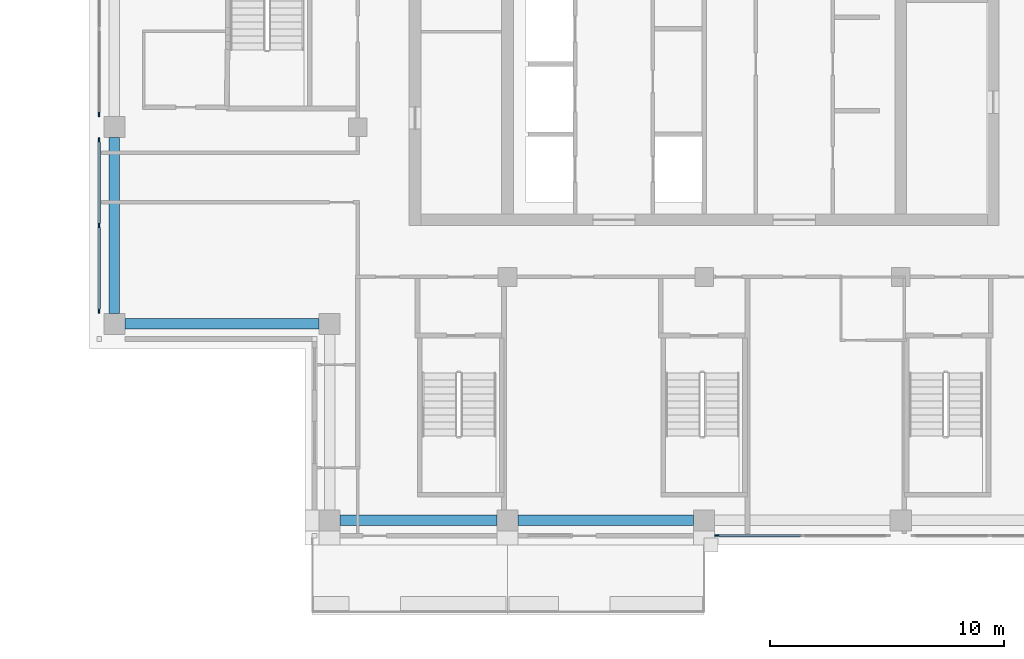
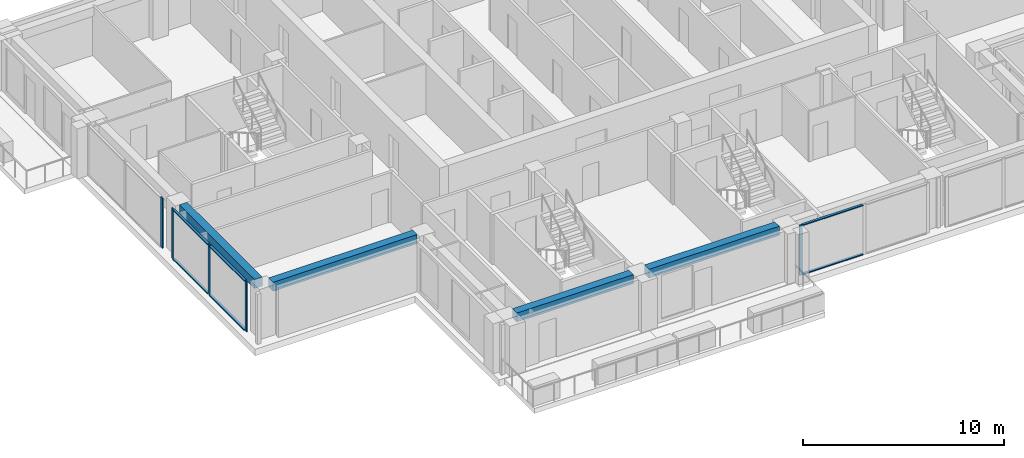
# One storey, part 2 of 15: 11 members, 4 beams, 3 elements without a shape of their own.
"""IFC4 building model written with IfcOpenShell, lengths in metres."""

from ifc_helpers import new_model, si_unit, direction, frame, origin, origin_2d, place, context, subcontext, project, spatial, rectangle, extrude, material, material_profile, profile_set, type_object, element, aggregate, save


model = new_model("IFC4")

# Units and contexts
model_context = context("Model", 3, precision=1e-05, world=origin(), true_north=direction((0.0, 1.0)))
body_context = subcontext(model_context, "Body", "Model", "MODEL_VIEW")
ifc_project = project(units=[si_unit("LENGTHUNIT", "METRE"), si_unit("AREAUNIT", "SQUARE_METRE"), si_unit("VOLUMEUNIT", "CUBIC_METRE"), si_unit("PLANEANGLEUNIT", "RADIAN"), si_unit("MASSUNIT", "GRAM", prefix="KILO")], contexts=[model_context])

# Site, building, storey
site_placement = place(None, origin())
site = spatial("IfcSite", under=ifc_project, at=site_placement, CompositionType="ELEMENT")
building_placement = place(site_placement, origin())
building = spatial("IfcBuilding", under=site, at=building_placement, Name="Vermilion Ogive Tower", CompositionType="ELEMENT")
storey_placement = place(building_placement, frame((0.0, 0.0, 237.25)))
storey = spatial("IfcBuildingStorey", under=building, at=storey_placement, Name="L62", CompositionType="ELEMENT", Elevation=237.25)

# Curtain wall, member
ifc_material_1 = material(Name="Low-iron laminated glazing in aluminium frame", Category="aluminium")
curtain_wall_type = type_object("IfcCurtainWallType", Name="Curtain wall CW7", PredefinedType="NOTDEFINED", material=ifc_material_1)
curtain_wall_1_placement = place(storey_placement, origin())
curtain_wall_1 = element("IfcCurtainWall", 1, at=curtain_wall_1_placement, inside=storey, type_object=curtain_wall_type, Name="Glazed skin S3", PredefinedType="NOTDEFINED")
ifc_material_2 = material(Name="Aluminium mullion", Category="aluminium")
ifc_material_profile_1 = material_profile(ifc_material_2, rectangle(XDim=0.06005859375, YDim=0.179931640625, at=origin_2d()), Name="AL 60x180")
ifc_profile_set_1 = profile_set([ifc_material_profile_1], Name="Aluminium mullion")
member_type_1 = type_object("IfcMemberType", Name="CW7 mullion 60x180", PredefinedType="MULLION", material=ifc_profile_set_1)
member_1_placement = place(storey_placement, frame((0.5400390625, -21.64990234375, 0.0), z_axis=(0.0, 0.0, 1.0), x_axis=(0.0, 1.0, 0.0)))
member_1 = element("IfcMember", 2, at=member_1_placement, type_object=member_type_1, Name="CW7-S3 mullion 1", PredefinedType="MULLION", context=body_context, shape_type="SweptSolid", body=[
    extrude(rectangle(XDim=0.06005859375, YDim=0.179931640625, at=origin_2d()), origin(), (0.0, 0.0, 1.0), 3.050048828125),
])

curtain_wall_2_placement = place(storey_placement, origin())
curtain_wall_2 = element("IfcCurtainWall", 3, at=curtain_wall_2_placement, inside=storey, type_object=curtain_wall_type, Name="Glazed skin W2", PredefinedType="NOTDEFINED")
member_2_placement = place(storey_placement, frame((-25.85009765625, -3.659912109375, 0.0), z_axis=(0.0, 0.0, 1.0), x_axis=(1.0, 0.0, 0.0)))
member_2 = element("IfcMember", 4, at=member_2_placement, type_object=member_type_1, Name="CW7-W2 mullion 3", PredefinedType="MULLION", context=body_context, shape_type="SweptSolid", body=[
    extrude(rectangle(XDim=0.06005859375, YDim=0.179931640625, at=origin_2d()), origin(), (0.0, 0.0, 1.0), 3.050048828125),
])
aggregate(curtain_wall_2, [member_2])

# Curtain wall, members
curtain_wall_3_placement = place(storey_placement, origin())
curtain_wall_3 = element("IfcCurtainWall", 5, at=curtain_wall_3_placement, inside=storey, type_object=curtain_wall_type, Name="Glazed skin W3", PredefinedType="NOTDEFINED")
member_3_placement = place(storey_placement, frame((-25.85009765625, -4.739990234375, 0.0), z_axis=(0.0, 0.0, 1.0), x_axis=(1.0, 0.0, 0.0)))
member_3 = element("IfcMember", 6, at=member_3_placement, type_object=member_type_1, Name="CW7-W3 mullion 1", PredefinedType="MULLION", context=body_context, shape_type="SweptSolid", body=[
    extrude(rectangle(XDim=0.06005859375, YDim=0.179931640625, at=origin_2d()), origin(), (0.0, 0.0, 1.0), 3.050048828125),
])
member_4_placement = place(storey_placement, frame((-25.85009765625, -8.39990234375, 0.0), z_axis=(0.0, 0.0, 1.0), x_axis=(1.0, 0.0, 0.0)))
member_4 = element("IfcMember", 7, at=member_4_placement, type_object=member_type_1, Name="CW7-W3 mullion 2", PredefinedType="MULLION", context=body_context, shape_type="SweptSolid", body=[
    extrude(rectangle(XDim=0.06005859375, YDim=0.179931640625, at=origin_2d()), origin(), (0.0, 0.0, 1.0), 3.050048828125),
])
member_5_placement = place(storey_placement, frame((-25.85009765625, -12.06005859375, 0.0), z_axis=(0.0, 0.0, 1.0), x_axis=(1.0, 0.0, 0.0)))
member_5 = element("IfcMember", 8, at=member_5_placement, type_object=member_type_1, Name="CW7-W3 mullion 3", PredefinedType="MULLION", context=body_context, shape_type="SweptSolid", body=[
    extrude(rectangle(XDim=0.06005859375, YDim=0.179931640625, at=origin_2d()), origin(), (0.0, 0.0, 1.0), 3.050048828125),
])

# Member
ifc_material_3 = material(Name="Aluminium transom", Category="aluminium")
ifc_material_profile_2 = material_profile(ifc_material_3, rectangle(XDim=0.139892578125, YDim=0.06005859375, at=origin_2d()), Name="AL 60x140")
ifc_profile_set_2 = profile_set([ifc_material_profile_2], Name="Aluminium transom")
member_type_2 = type_object("IfcMemberType", Name="CW7 transom 60x140", PredefinedType="USERDEFINED", material=ifc_profile_set_2)
member_6_placement = place(storey_placement, frame((0.6298828125, -21.64990234375, 0.030029296875), z_axis=(1.0, 0.0, 0.0), x_axis=(0.0, 1.0, 0.0)))
member_6 = element("IfcMember", 9, at=member_6_placement, type_object=member_type_2, Name="CW7-S3 transom 1.1", ObjectType="TRANSOM", PredefinedType="USERDEFINED", context=body_context, shape_type="SweptSolid", body=[
    extrude(rectangle(XDim=0.139892578125, YDim=0.06005859375, at=origin_2d()), origin(), (0.0, 0.0, 1.0), 3.480224609375),
])

member_7_placement = place(storey_placement, frame((0.6298828125, -21.64990234375, 3.02001953125), z_axis=(1.0, 0.0, 0.0), x_axis=(0.0, 1.0, 0.0)))
member_7 = element("IfcMember", 10, at=member_7_placement, type_object=member_type_2, Name="CW7-S3 transom 1.2", ObjectType="TRANSOM", PredefinedType="USERDEFINED", context=body_context, shape_type="SweptSolid", body=[
    extrude(rectangle(XDim=0.139892578125, YDim=0.06005859375, at=origin_2d()), origin(), (0.0, 0.0, 1.0), 3.480224609375),
])

aggregate(curtain_wall_1, [member_1, member_6, member_7])

member_8_placement = place(storey_placement, frame((-25.85009765625, -4.830078125, 0.030029296875), z_axis=(0.0, -1.0, 0.0), x_axis=(1.0, 0.0, 0.0)))
member_8 = element("IfcMember", 11, at=member_8_placement, type_object=member_type_2, Name="CW7-W3 transom 1.1", ObjectType="TRANSOM", PredefinedType="USERDEFINED", context=body_context, shape_type="SweptSolid", body=[
    extrude(rectangle(XDim=0.139892578125, YDim=0.06005859375, at=origin_2d()), origin(), (0.0, 0.0, 1.0), 3.47998046875),
])

member_9_placement = place(storey_placement, frame((-25.85009765625, -4.830078125, 3.02001953125), z_axis=(0.0, -1.0, 0.0), x_axis=(1.0, 0.0, 0.0)))
member_9 = element("IfcMember", 12, at=member_9_placement, type_object=member_type_2, Name="CW7-W3 transom 1.2", ObjectType="TRANSOM", PredefinedType="USERDEFINED", context=body_context, shape_type="SweptSolid", body=[
    extrude(rectangle(XDim=0.139892578125, YDim=0.06005859375, at=origin_2d()), origin(), (0.0, 0.0, 1.0), 3.47998046875),
])

member_10_placement = place(storey_placement, frame((-25.85009765625, -8.489990234375, 0.030029296875), z_axis=(0.0, -1.0, 0.0), x_axis=(1.0, 0.0, 0.0)))
member_10 = element("IfcMember", 13, at=member_10_placement, type_object=member_type_2, Name="CW7-W3 transom 2.1", ObjectType="TRANSOM", PredefinedType="USERDEFINED", context=body_context, shape_type="SweptSolid", body=[
    extrude(rectangle(XDim=0.139892578125, YDim=0.06005859375, at=origin_2d()), origin(), (0.0, 0.0, 1.0), 3.47998046875),
])

member_11_placement = place(storey_placement, frame((-25.85009765625, -8.489990234375, 3.02001953125), z_axis=(0.0, -1.0, 0.0), x_axis=(1.0, 0.0, 0.0)))
member_11 = element("IfcMember", 14, at=member_11_placement, type_object=member_type_2, Name="CW7-W3 transom 2.2", ObjectType="TRANSOM", PredefinedType="USERDEFINED", context=body_context, shape_type="SweptSolid", body=[
    extrude(rectangle(XDim=0.139892578125, YDim=0.06005859375, at=origin_2d()), origin(), (0.0, 0.0, 1.0), 3.47998046875),
])

aggregate(curtain_wall_3, [member_3, member_4, member_5, member_8, member_9, member_10, member_11])

# Beams
ifc_material_4 = material(Name="Concrete B45", Category="concrete")
ifc_material_profile_3 = material_profile(ifc_material_4, rectangle(XDim=0.449951171875, YDim=0.550048828125, at=origin_2d()), Name="450 x 550")
ifc_profile_set_3 = profile_set([ifc_material_profile_3], Name="Concrete B45")
beam_type = type_object("IfcBeamType", Name="Edge beam 450 x 550 B45", PredefinedType="BEAM", material=ifc_profile_set_3)
beam_1_placement = place(storey_placement, frame((-15.550048828125, -21.0, 2.77490234375), z_axis=(1.0, 0.0, 0.0), x_axis=(0.0, 1.0, 0.0)))
element("IfcBeam", 15, at=beam_1_placement, inside=storey, type_object=beam_type, Name="L62-EB-1", PredefinedType="BEAM", context=body_context, shape_type="SweptSolid", body=[
    extrude(rectangle(XDim=0.449951171875, YDim=0.550048828125, at=origin_2d()), origin(), (0.0, 0.0, 1.0), 6.699951171875),
])
for number, where, z_axis, x_axis, name in (
    (16, (-7.949951171875, -21.0, 2.77490234375), (1.0, 0.0, 0.0), (0.0, 1.0, 0.0), "L62-EB-2"),
    (17, (-25.199951171875, -4.64990234375, 2.77490234375), (0.0, -1.0, 0.0), (1.0, 0.0, 0.0), "L62-EB-16"),
):
    element("IfcBeam", number, at=place(storey_placement, frame(where, z_axis=z_axis, x_axis=x_axis)), inside=storey, type_object=beam_type, Name=name, PredefinedType="BEAM", context=body_context, shape_type="SweptSolid", body=[
        extrude(rectangle(XDim=0.449951171875, YDim=0.550048828125, at=origin_2d()), origin(), (0.0, 0.0, 1.0), 7.5),
    ])
beam_2_placement = place(storey_placement, frame((-24.75, -12.60009765625, 2.77490234375), z_axis=(1.0, 0.0, 0.0), x_axis=(0.0, 1.0, 0.0)))
element("IfcBeam", 18, at=beam_2_placement, inside=storey, type_object=beam_type, Name="L62-EB-17", PredefinedType="BEAM", context=body_context, shape_type="SweptSolid", body=[
    extrude(rectangle(XDim=0.449951171875, YDim=0.550048828125, at=origin_2d()), origin(), (0.0, 0.0, 1.0), 8.300048828125),
])

save(model, "model.ifc")
